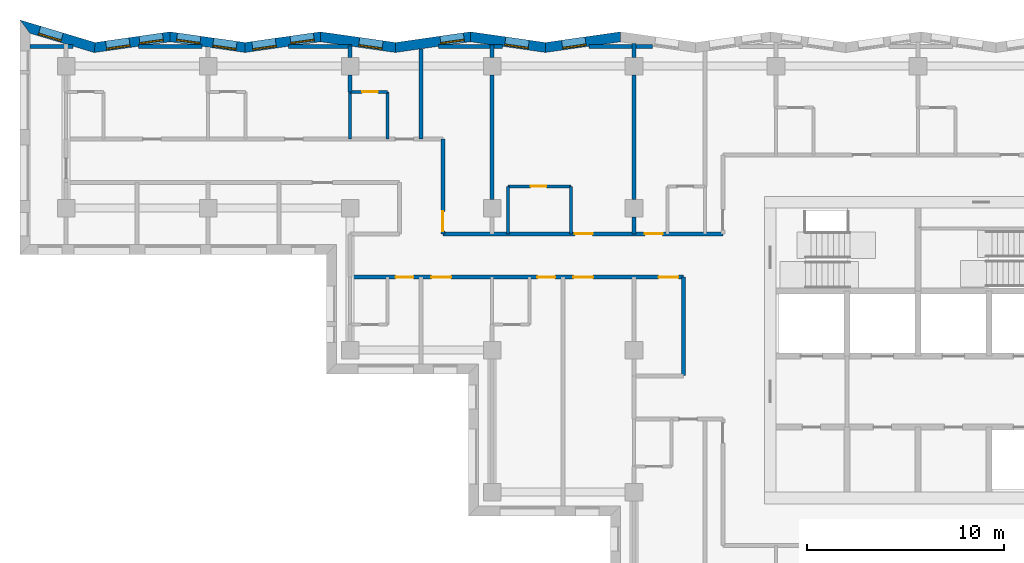
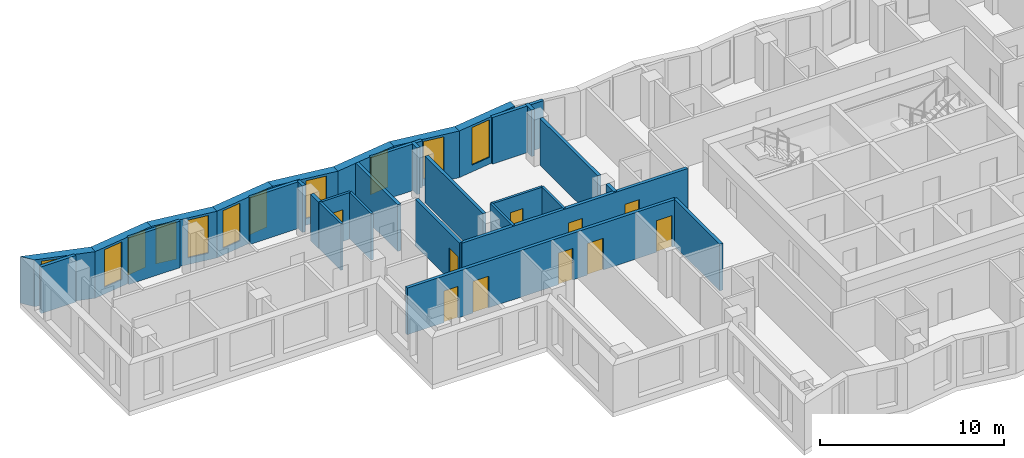
# One storey, part 5 of 12: 31 walls, 11 windows, 10 doors, 21 openings.
"""IFC4 building model written with IfcOpenShell, lengths in metres."""

from ifc_helpers import new_model, si_unit, direction, frame, frame_2d, origin, place, context, subcontext, project, spatial, polyline, rectangle, outline, extrude, material, layer, layer_set, type_object, element, fill, save


model = new_model("IFC4")

# Units and contexts
model_context = context("Model", 3, precision=1e-05, world=origin(), true_north=direction((0.0, 1.0)))
body_context = subcontext(model_context, "Body", "Model", "MODEL_VIEW")
ifc_project = project(units=[si_unit("LENGTHUNIT", "METRE"), si_unit("AREAUNIT", "SQUARE_METRE"), si_unit("VOLUMEUNIT", "CUBIC_METRE"), si_unit("PLANEANGLEUNIT", "RADIAN"), si_unit("MASSUNIT", "GRAM", prefix="KILO")], contexts=[model_context])

# Site, building, storey
site_placement = place(None, origin())
site = spatial("IfcSite", under=ifc_project, at=site_placement, CompositionType="ELEMENT")
building_placement = place(site_placement, origin())
building = spatial("IfcBuilding", under=site, at=building_placement, Name="Windrow Commons", CompositionType="ELEMENT")
storey_placement = place(building_placement, frame((0.0, 0.0, 162.6)))
storey = spatial("IfcBuildingStorey", under=building, at=storey_placement, Name="L44", CompositionType="ELEMENT", Elevation=162.6)

# Wall, opening, window
ifc_material_1 = material(Name="Brick masonry, red clay brick", Category="masonry")
ifc_layer_1 = layer(ifc_material_1, 0.5)
ifc_layer_set_1 = layer_set([ifc_layer_1], Name="Brick facade wall 500")
wall_type_1 = type_object("IfcWallType", Name="Brick facade wall 500", PredefinedType="SOLIDWALL", material=ifc_layer_set_1)
wall_1_placement = place(storey_placement, frame((49.7141, 73.4895, 0.0), z_axis=(0.0, 0.0, 1.0), x_axis=(-0.990016994, -0.1409480459, 0.0)))
wall_1 = element("IfcWall", 1, at=wall_1_placement, inside=storey, type_object=wall_type_1, Name="Brick facade wall L44 27", PredefinedType="SOLIDWALL", context=body_context, shape_type="SweptSolid", body=[
    extrude(outline(polyline([(-0.0356, -0.25), (3.8098, -0.25), (3.881, 0.25), (0.0356, 0.25), (-0.0356, -0.25)])), origin(), (0.0, 0.0, 1.0), 3.1),
])
opening_1_placement = place(wall_1_placement, frame((1.7895, 0.0, 0.45)))
opening_1 = element("IfcOpeningElement", 2, at=opening_1_placement, cuts=wall_1, Name="Opening W7E", PredefinedType="OPENING", context=body_context, shape_type="SweptSolid", body=[
    extrude(rectangle(XDim=1.2, YDim=2.5, at=frame_2d((0.6, 1.25))), frame((0.0, 0.26, 0.0), z_axis=(0.0, -1.0, 0.0), x_axis=(1.0, 0.0, 0.0)), (0.0, 0.0, 1.0), 0.52),
])
ifc_material_2 = material(Name="Clear float glass in anodised aluminium frame", Category="aluminium")
window_type = type_object("IfcWindowType", Name="Window W7 notch 1200x2500", PartitioningType="SINGLE_PANEL", PredefinedType="WINDOW", material=ifc_material_2)
window_1_placement = place(opening_1_placement, origin())
window_1 = element("IfcWindow", 3, at=window_1_placement, inside=storey, type_object=window_type, Name="Window L44 27.1", OverallHeight=2.5, OverallWidth=1.2, PartitioningType="SINGLE_PANEL", PredefinedType="WINDOW", context=body_context, shape_type="SweptSolid", body=[
    extrude(rectangle(XDim=1.2, YDim=2.5, at=frame_2d((0.6, 1.25))), frame((0.0, 0.18, 0.0), z_axis=(0.0, -1.0, 0.0), x_axis=(1.0, 0.0, 0.0)), (0.0, 0.0, 1.0), 0.06),
])
fill(opening_1, window_1)

wall_2_placement = place(storey_placement, frame((45.9071, 72.9475, 0.0), z_axis=(0.0, 0.0, 1.0), x_axis=(-0.9900175106, 0.1409444172, 0.0)))
wall_2 = element("IfcWall", 4, at=wall_2_placement, inside=storey, type_object=wall_type_1, Name="Brick facade wall L44 28", PredefinedType="SOLIDWALL", context=body_context, shape_type="SweptSolid", body=[
    extrude(outline(polyline([(0.0356, -0.25), (3.881, -0.25), (3.8098, 0.25), (-0.0356, 0.25), (0.0356, -0.25)])), origin(), (0.0, 0.0, 1.0), 3.1),
])
opening_2_placement = place(wall_2_placement, frame((0.8672, 0.0, 0.45)))
opening_2 = element("IfcOpeningElement", 5, at=opening_2_placement, cuts=wall_2, Name="Opening W7E", PredefinedType="OPENING", context=body_context, shape_type="SweptSolid", body=[
    extrude(rectangle(XDim=1.2, YDim=2.5, at=frame_2d((0.6, 1.25))), frame((0.0, 0.26, 0.0), z_axis=(0.0, -1.0, 0.0), x_axis=(1.0, 0.0, 0.0)), (0.0, 0.0, 1.0), 0.52),
])
window_2_placement = place(opening_2_placement, origin())
window_2 = element("IfcWindow", 6, at=window_2_placement, inside=storey, type_object=window_type, Name="Window L44 28.1", OverallHeight=2.5, OverallWidth=1.2, PartitioningType="SINGLE_PANEL", PredefinedType="WINDOW", context=body_context, shape_type="SweptSolid", body=[
    extrude(rectangle(XDim=1.2, YDim=2.5, at=frame_2d((0.6, 1.25))), frame((0.0, 0.18, 0.0), z_axis=(0.0, -1.0, 0.0), x_axis=(1.0, 0.0, 0.0)), (0.0, 0.0, 1.0), 0.06),
])
fill(opening_2, window_2)

wall_3_placement = place(storey_placement, frame((42.1, 73.4895, 0.0), z_axis=(0.0, 0.0, 1.0), x_axis=(-0.990016994, -0.1409480459, 0.0)))
wall_3 = element("IfcWall", 7, at=wall_3_placement, inside=storey, type_object=wall_type_1, Name="Brick facade wall L44 29", PredefinedType="SOLIDWALL", context=body_context, shape_type="SweptSolid", body=[
    extrude(outline(polyline([(-0.0356, -0.25), (3.8098, -0.25), (3.881, 0.25), (0.0356, 0.25), (-0.0356, -0.25)])), origin(), (0.0, 0.0, 1.0), 3.1),
])
opening_3_placement = place(wall_3_placement, frame((0.3304, 0.0, 0.45)))
opening_3 = element("IfcOpeningElement", 8, at=opening_3_placement, cuts=wall_3, Name="Opening W7E", PredefinedType="OPENING", context=body_context, shape_type="SweptSolid", body=[
    extrude(rectangle(XDim=1.2, YDim=2.5, at=frame_2d((0.6, 1.25))), frame((0.0, 0.26, 0.0), z_axis=(0.0, -1.0, 0.0), x_axis=(1.0, 0.0, 0.0)), (0.0, 0.0, 1.0), 0.52),
])
window_3_placement = place(opening_3_placement, origin())
window_3 = element("IfcWindow", 9, at=window_3_placement, inside=storey, type_object=window_type, Name="Window L44 29.1", OverallHeight=2.5, OverallWidth=1.2, PartitioningType="SINGLE_PANEL", PredefinedType="WINDOW", context=body_context, shape_type="SweptSolid", body=[
    extrude(rectangle(XDim=1.2, YDim=2.5, at=frame_2d((0.6, 1.25))), frame((0.0, 0.14, 0.0), z_axis=(0.0, -1.0, 0.0), x_axis=(1.0, 0.0, 0.0)), (0.0, 0.0, 1.0), 0.06),
])
fill(opening_3, window_3)

wall_4_placement = place(storey_placement, frame((38.293, 72.9475, 0.0), z_axis=(0.0, 0.0, 1.0), x_axis=(-0.990016994, 0.1409480459, 0.0)))
wall_4 = element("IfcWall", 10, at=wall_4_placement, inside=storey, type_object=wall_type_1, Name="Brick facade wall L44 30", PredefinedType="SOLIDWALL", context=body_context, shape_type="SweptSolid", body=[
    extrude(outline(polyline([(0.0356, -0.25), (3.881, -0.25), (3.8098, 0.25), (-0.0356, 0.25), (0.0356, -0.25)])), origin(), (0.0, 0.0, 1.0), 3.1),
])
opening_4_placement = place(wall_4_placement, frame((0.6581, 0.0, 0.45)))
opening_4 = element("IfcOpeningElement", 11, at=opening_4_placement, cuts=wall_4, Name="Opening W7E", PredefinedType="OPENING", context=body_context, shape_type="SweptSolid", body=[
    extrude(rectangle(XDim=1.2, YDim=2.5, at=frame_2d((0.6, 1.25))), frame((0.0, 0.26, 0.0), z_axis=(0.0, -1.0, 0.0), x_axis=(1.0, 0.0, 0.0)), (0.0, 0.0, 1.0), 0.52),
])
window_4_placement = place(opening_4_placement, origin())
window_4 = element("IfcWindow", 12, at=window_4_placement, inside=storey, type_object=window_type, Name="Window L44 30.1", OverallHeight=2.5, OverallWidth=1.2, PartitioningType="SINGLE_PANEL", PredefinedType="WINDOW", context=body_context, shape_type="SweptSolid", body=[
    extrude(rectangle(XDim=1.2, YDim=2.5, at=frame_2d((0.6, 1.25))), frame((0.0, 0.18, 0.0), z_axis=(0.0, -1.0, 0.0), x_axis=(1.0, 0.0, 0.0)), (0.0, 0.0, 1.0), 0.06),
])
fill(opening_4, window_4)

# Wall, openings, windows
wall_5_placement = place(storey_placement, frame((34.486, 73.4895, 0.0), z_axis=(0.0, 0.0, 1.0), x_axis=(-0.990016994, -0.1409480459, 0.0)))
wall_5 = element("IfcWall", 13, at=wall_5_placement, inside=storey, type_object=wall_type_1, Name="Brick facade wall L44 31", PredefinedType="SOLIDWALL", context=body_context, shape_type="SweptSolid", body=[
    extrude(outline(polyline([(-0.0356, -0.25), (3.8098, -0.25), (3.881, 0.25), (0.0356, 0.25), (-0.0356, -0.25)])), origin(), (0.0, 0.0, 1.0), 3.1),
])
opening_5_placement = place(wall_5_placement, frame((0.3213, 0.0, 0.45)))
opening_5 = element("IfcOpeningElement", 14, at=opening_5_placement, cuts=wall_5, Name="Opening W7E", PredefinedType="OPENING", context=body_context, shape_type="SweptSolid", body=[
    extrude(rectangle(XDim=1.2, YDim=2.5, at=frame_2d((0.6, 1.25))), frame((0.0, 0.26, 0.0), z_axis=(0.0, -1.0, 0.0), x_axis=(1.0, 0.0, 0.0)), (0.0, 0.0, 1.0), 0.52),
])
opening_6_placement = place(wall_5_placement, frame((2.2762, 0.0, 0.45)))
opening_6 = element("IfcOpeningElement", 15, at=opening_6_placement, cuts=wall_5, Name="Opening W7E", PredefinedType="OPENING", context=body_context, shape_type="SweptSolid", body=[
    extrude(rectangle(XDim=1.2, YDim=2.5, at=frame_2d((0.6, 1.25))), frame((0.0, 0.26, 0.0), z_axis=(0.0, -1.0, 0.0), x_axis=(1.0, 0.0, 0.0)), (0.0, 0.0, 1.0), 0.52),
])
window_5_placement = place(opening_5_placement, origin())
window_5 = element("IfcWindow", 16, at=window_5_placement, inside=storey, type_object=window_type, Name="Window L44 31.1", OverallHeight=2.5, OverallWidth=1.2, PartitioningType="SINGLE_PANEL", PredefinedType="WINDOW", context=body_context, shape_type="SweptSolid", body=[
    extrude(rectangle(XDim=1.2, YDim=2.5, at=frame_2d((0.6, 1.25))), frame((0.0, 0.14, 0.0), z_axis=(0.0, -1.0, 0.0), x_axis=(1.0, 0.0, 0.0)), (0.0, 0.0, 1.0), 0.06),
])
fill(opening_5, window_5)
window_6_placement = place(opening_6_placement, origin())
window_6 = element("IfcWindow", 17, at=window_6_placement, inside=storey, type_object=window_type, Name="Window L44 31.2", OverallHeight=2.5, OverallWidth=1.2, PartitioningType="SINGLE_PANEL", PredefinedType="WINDOW", context=body_context, shape_type="SweptSolid", body=[
    extrude(rectangle(XDim=1.2, YDim=2.5, at=frame_2d((0.6, 1.25))), frame((0.0, 0.18, 0.0), z_axis=(0.0, -1.0, 0.0), x_axis=(1.0, 0.0, 0.0)), (0.0, 0.0, 1.0), 0.06),
])
fill(opening_6, window_6)

wall_6_placement = place(storey_placement, frame((30.679, 72.9475, 0.0), z_axis=(0.0, 0.0, 1.0), x_axis=(-0.990016994, 0.1409480459, 0.0)))
wall_6 = element("IfcWall", 18, at=wall_6_placement, inside=storey, type_object=wall_type_1, Name="Brick facade wall L44 32", PredefinedType="SOLIDWALL", context=body_context, shape_type="SweptSolid", body=[
    extrude(outline(polyline([(0.0356, -0.25), (3.881, -0.25), (3.8098, 0.25), (-0.0356, 0.25), (0.0356, -0.25)])), origin(), (0.0, 0.0, 1.0), 3.1),
])
opening_7_placement = place(wall_6_placement, frame((0.449, 0.0, 0.45)))
opening_7 = element("IfcOpeningElement", 19, at=opening_7_placement, cuts=wall_6, Name="Opening W7E", PredefinedType="OPENING", context=body_context, shape_type="SweptSolid", body=[
    extrude(rectangle(XDim=1.2, YDim=2.5, at=frame_2d((0.6, 1.25))), frame((0.0, 0.26, 0.0), z_axis=(0.0, -1.0, 0.0), x_axis=(1.0, 0.0, 0.0)), (0.0, 0.0, 1.0), 0.52),
])
opening_8_placement = place(wall_6_placement, frame((2.3039, 0.0, 0.45)))
opening_8 = element("IfcOpeningElement", 20, at=opening_8_placement, cuts=wall_6, Name="Opening W7E", PredefinedType="OPENING", context=body_context, shape_type="SweptSolid", body=[
    extrude(rectangle(XDim=1.2, YDim=2.5, at=frame_2d((0.6, 1.25))), frame((0.0, 0.26, 0.0), z_axis=(0.0, -1.0, 0.0), x_axis=(1.0, 0.0, 0.0)), (0.0, 0.0, 1.0), 0.52),
])
window_7_placement = place(opening_7_placement, origin())
window_7 = element("IfcWindow", 21, at=window_7_placement, inside=storey, type_object=window_type, Name="Window L44 32.1", OverallHeight=2.5, OverallWidth=1.2, PartitioningType="SINGLE_PANEL", PredefinedType="WINDOW", context=body_context, shape_type="SweptSolid", body=[
    extrude(rectangle(XDim=1.2, YDim=2.5, at=frame_2d((0.6, 1.25))), frame((0.0, 0.18, 0.0), z_axis=(0.0, -1.0, 0.0), x_axis=(1.0, 0.0, 0.0)), (0.0, 0.0, 1.0), 0.06),
])
fill(opening_7, window_7)
window_8_placement = place(opening_8_placement, origin())
window_8 = element("IfcWindow", 22, at=window_8_placement, inside=storey, type_object=window_type, Name="Window L44 32.2", OverallHeight=2.5, OverallWidth=1.2, PartitioningType="SINGLE_PANEL", PredefinedType="WINDOW", context=body_context, shape_type="SweptSolid", body=[
    extrude(rectangle(XDim=1.2, YDim=2.5, at=frame_2d((0.6, 1.25))), frame((0.0, 0.14, 0.0), z_axis=(0.0, -1.0, 0.0), x_axis=(1.0, 0.0, 0.0)), (0.0, 0.0, 1.0), 0.06),
])
fill(opening_8, window_8)

wall_7_placement = place(storey_placement, frame((26.872, 73.4895, 0.0), z_axis=(0.0, 0.0, 1.0), x_axis=(-0.9900145925, -0.140964913, 0.0)))
wall_7 = element("IfcWall", 23, at=wall_7_placement, inside=storey, type_object=wall_type_1, Name="Brick facade wall L44 33", PredefinedType="SOLIDWALL", context=body_context, shape_type="SweptSolid", body=[
    extrude(outline(polyline([(-0.0356, -0.25), (3.8098, -0.25), (3.9197, 0.25), (0.0356, 0.25), (-0.0356, -0.25)])), origin(), (0.0, 0.0, 1.0), 3.1),
])
opening_9_placement = place(wall_7_placement, frame((0.3622, 0.0, 0.45)))
opening_9 = element("IfcOpeningElement", 24, at=opening_9_placement, cuts=wall_7, Name="Opening W7E", PredefinedType="OPENING", context=body_context, shape_type="SweptSolid", body=[
    extrude(rectangle(XDim=1.2, YDim=2.5, at=frame_2d((0.6, 1.25))), frame((0.0, 0.26, 0.0), z_axis=(0.0, -1.0, 0.0), x_axis=(1.0, 0.0, 0.0)), (0.0, 0.0, 1.0), 0.52),
])
opening_10_placement = place(wall_7_placement, frame((2.0768, 0.0, 0.45)))
opening_10 = element("IfcOpeningElement", 25, at=opening_10_placement, cuts=wall_7, Name="Opening W7E", PredefinedType="OPENING", context=body_context, shape_type="SweptSolid", body=[
    extrude(rectangle(XDim=1.2, YDim=2.5, at=frame_2d((0.6, 1.25))), frame((0.0, 0.26, 0.0), z_axis=(0.0, -1.0, 0.0), x_axis=(1.0, 0.0, 0.0)), (0.0, 0.0, 1.0), 0.52),
])
window_9_placement = place(opening_9_placement, origin())
window_9 = element("IfcWindow", 26, at=window_9_placement, inside=storey, type_object=window_type, Name="Window L44 33.1", OverallHeight=2.5, OverallWidth=1.2, PartitioningType="SINGLE_PANEL", PredefinedType="WINDOW", context=body_context, shape_type="SweptSolid", body=[
    extrude(rectangle(XDim=1.2, YDim=2.5, at=frame_2d((0.6, 1.25))), frame((0.0, 0.14, 0.0), z_axis=(0.0, -1.0, 0.0), x_axis=(1.0, 0.0, 0.0)), (0.0, 0.0, 1.0), 0.06),
])
fill(opening_9, window_9)
window_10_placement = place(opening_10_placement, origin())
window_10 = element("IfcWindow", 27, at=window_10_placement, inside=storey, type_object=window_type, Name="Window L44 33.2", OverallHeight=2.5, OverallWidth=1.2, PartitioningType="SINGLE_PANEL", PredefinedType="WINDOW", context=body_context, shape_type="SweptSolid", body=[
    extrude(rectangle(XDim=1.2, YDim=2.5, at=frame_2d((0.6, 1.25))), frame((0.0, 0.18, 0.0), z_axis=(0.0, -1.0, 0.0), x_axis=(1.0, 0.0, 0.0)), (0.0, 0.0, 1.0), 0.06),
])
fill(opening_10, window_10)

# Wall, opening, window
wall_8_placement = place(storey_placement, frame((23.0458, 72.9447, 0.0), z_axis=(0.0, 0.0, 1.0), x_axis=(-0.9578292658, 0.2873379501, 0.0)))
wall_8 = element("IfcWall", 28, at=wall_8_placement, inside=storey, type_object=wall_type_1, Name="Brick facade wall L44 34", PredefinedType="SOLIDWALL", context=body_context, shape_type="SweptSolid", body=[
    extrude(outline(polyline([(0.055, -0.25), (4.0296, -0.25), (3.3576, 0.25), (-0.055, 0.25), (0.055, -0.25)])), origin(), (0.0, 0.0, 1.0), 3.1),
])
opening_11_placement = place(wall_8_placement, frame((1.7335, 0.0, 0.45)))
opening_11 = element("IfcOpeningElement", 29, at=opening_11_placement, cuts=wall_8, Name="Opening W7E", PredefinedType="OPENING", context=body_context, shape_type="SweptSolid", body=[
    extrude(rectangle(XDim=1.2, YDim=2.5, at=frame_2d((0.6, 1.25))), frame((0.0, 0.26, 0.0), z_axis=(0.0, -1.0, 0.0), x_axis=(1.0, 0.0, 0.0)), (0.0, 0.0, 1.0), 0.52),
])
window_11_placement = place(opening_11_placement, origin())
window_11 = element("IfcWindow", 30, at=window_11_placement, inside=storey, type_object=window_type, Name="Window L44 34.1", OverallHeight=2.5, OverallWidth=1.2, PartitioningType="SINGLE_PANEL", PredefinedType="WINDOW", context=body_context, shape_type="SweptSolid", body=[
    extrude(rectangle(XDim=1.2, YDim=2.5, at=frame_2d((0.6, 1.25))), frame((0.0, 0.18, 0.0), z_axis=(0.0, -1.0, 0.0), x_axis=(1.0, 0.0, 0.0)), (0.0, 0.0, 1.0), 0.06),
])
fill(opening_11, window_11)

# Wall, openings, doors
ifc_material_3 = material(Name="Blockwork partition", Category="masonry")
ifc_layer_2 = layer(ifc_material_3, 0.2)
ifc_layer_set_2 = layer_set([ifc_layer_2], Name="IW-CORRIDOR-200")
wall_type_2 = type_object("IfcWallType", Name="IW-CORRIDOR-200", PredefinedType="PARTITIONING", material=ifc_layer_set_2)
wall_9_placement = place(storey_placement, frame((36.0, 61.3, 0.0), z_axis=(0.0, 0.0, 1.0), x_axis=(1.0, 0.0, 0.0)))
wall_9 = element("IfcWall", 31, at=wall_9_placement, inside=storey, type_object=wall_type_2, Name="W-L44-W004", PredefinedType="PARTITIONING", context=body_context, shape_type="SweptSolid", body=[
    extrude(rectangle(XDim=16.9, YDim=0.2, at=frame_2d((8.45, 0.0))), origin(), (0.0, 0.0, 1.0), 3.1),
])
opening_12_placement = place(wall_9_placement, frame((2.3, 0.0, 0.0)))
opening_12 = element("IfcOpeningElement", 32, at=opening_12_placement, cuts=wall_9, Name="Opening D109S", PredefinedType="OPENING", context=body_context, shape_type="SweptSolid", body=[
    extrude(rectangle(XDim=0.9, YDim=2.1, at=frame_2d((0.45, 1.05))), frame((0.0, 0.11, 0.0), z_axis=(0.0, -1.0, 0.0), x_axis=(1.0, 0.0, 0.0)), (0.0, 0.0, 1.0), 0.22),
])
opening_13_placement = place(wall_9_placement, frame((4.125, 0.0, 0.0)))
opening_13 = element("IfcOpeningElement", 33, at=opening_13_placement, cuts=wall_9, Name="Opening D310F", PredefinedType="OPENING", context=body_context, shape_type="SweptSolid", body=[
    extrude(rectangle(XDim=1.0, YDim=2.1, at=frame_2d((0.5, 1.05))), frame((0.0, 0.11, 0.0), z_axis=(0.0, -1.0, 0.0), x_axis=(1.0, 0.0, 0.0)), (0.0, 0.0, 1.0), 0.22),
])
opening_14_placement = place(wall_9_placement, frame((9.5, 0.0, 0.0)))
opening_14 = element("IfcOpeningElement", 34, at=opening_14_placement, cuts=wall_9, Name="Opening D109S", PredefinedType="OPENING", context=body_context, shape_type="SweptSolid", body=[
    extrude(rectangle(XDim=0.9, YDim=2.1, at=frame_2d((0.45, 1.05))), frame((0.0, 0.11, 0.0), z_axis=(0.0, -1.0, 0.0), x_axis=(1.0, 0.0, 0.0)), (0.0, 0.0, 1.0), 0.22),
])
opening_15_placement = place(wall_9_placement, frame((11.325, 0.0, 0.0)))
opening_15 = element("IfcOpeningElement", 35, at=opening_15_placement, cuts=wall_9, Name="Opening D310F", PredefinedType="OPENING", context=body_context, shape_type="SweptSolid", body=[
    extrude(rectangle(XDim=1.0, YDim=2.1, at=frame_2d((0.5, 1.05))), frame((0.0, 0.11, 0.0), z_axis=(0.0, -1.0, 0.0), x_axis=(1.0, 0.0, 0.0)), (0.0, 0.0, 1.0), 0.22),
])
opening_16_placement = place(wall_9_placement, frame((15.6471, 0.0, 0.0)))
opening_16 = element("IfcOpeningElement", 36, at=opening_16_placement, cuts=wall_9, Name="Opening D410F", PredefinedType="OPENING", context=body_context, shape_type="SweptSolid", body=[
    extrude(rectangle(XDim=1.0, YDim=2.1, at=frame_2d((0.5, 1.05))), frame((0.0, 0.11, 0.0), z_axis=(0.0, -1.0, 0.0), x_axis=(1.0, 0.0, 0.0)), (0.0, 0.0, 1.0), 0.22),
])
ifc_material_4 = material(Name="Timber door leaf", Category="wood")
door_type_1 = type_object("IfcDoorType", Name="DT-AMENITY-1000", OperationType="SINGLE_SWING_LEFT", PredefinedType="DOOR", material=ifc_material_4)
door_1_placement = place(opening_13_placement, origin())
door_1 = element("IfcDoor", 37, at=door_1_placement, inside=storey, type_object=door_type_1, Name="D-L44-D013", OperationType="SINGLE_SWING_RIGHT", OverallHeight=2.1, OverallWidth=1.0, PredefinedType="DOOR", context=body_context, shape_type="SweptSolid", body=[
    extrude(rectangle(XDim=1.0, YDim=2.1, at=frame_2d((0.5, 1.05))), frame((0.0, 0.025, 0.0), z_axis=(0.0, -1.0, 0.0), x_axis=(1.0, 0.0, 0.0)), (0.0, 0.0, 1.0), 0.05),
])
fill(opening_13, door_1)
door_2_placement = place(opening_15_placement, origin())
door_2 = element("IfcDoor", 38, at=door_2_placement, inside=storey, type_object=door_type_1, Name="D-L44-D025", OperationType="SINGLE_SWING_RIGHT", OverallHeight=2.1, OverallWidth=1.0, PredefinedType="DOOR", context=body_context, shape_type="SweptSolid", body=[
    extrude(rectangle(XDim=1.0, YDim=2.1, at=frame_2d((0.5, 1.05))), frame((0.0, 0.025, 0.0), z_axis=(0.0, -1.0, 0.0), x_axis=(1.0, 0.0, 0.0)), (0.0, 0.0, 1.0), 0.05),
])
fill(opening_15, door_2)
ifc_material_5 = material(Name="Timber door leaf", Category="wood")
door_type_2 = type_object("IfcDoorType", Name="DT-BEDROOM-900", OperationType="SINGLE_SWING_LEFT", PredefinedType="DOOR", material=ifc_material_5)
door_3_placement = place(opening_12_placement, origin())
door_3 = element("IfcDoor", 39, at=door_3_placement, inside=storey, type_object=door_type_2, Name="D-L44-D011", OperationType="SINGLE_SWING_LEFT", OverallHeight=2.1, OverallWidth=0.9, PredefinedType="DOOR", context=body_context, shape_type="SweptSolid", body=[
    extrude(rectangle(XDim=0.9, YDim=2.1, at=frame_2d((0.45, 1.05))), frame((0.0, 0.025, 0.0), z_axis=(0.0, -1.0, 0.0), x_axis=(1.0, 0.0, 0.0)), (0.0, 0.0, 1.0), 0.05),
])
fill(opening_12, door_3)
door_4_placement = place(opening_14_placement, origin())
door_4 = element("IfcDoor", 40, at=door_4_placement, inside=storey, type_object=door_type_2, Name="D-L44-D014", OperationType="SINGLE_SWING_LEFT", OverallHeight=2.1, OverallWidth=0.9, PredefinedType="DOOR", context=body_context, shape_type="SweptSolid", body=[
    extrude(rectangle(XDim=0.9, YDim=2.1, at=frame_2d((0.45, 1.05))), frame((0.0, 0.025, 0.0), z_axis=(0.0, -1.0, 0.0), x_axis=(1.0, 0.0, 0.0)), (0.0, 0.0, 1.0), 0.05),
])
fill(opening_14, door_4)
ifc_material_6 = material(Name="Timber door leaf", Category="wood")
door_type_3 = type_object("IfcDoorType", Name="DT-SERVICE-1000", OperationType="SINGLE_SWING_LEFT", PredefinedType="DOOR", material=ifc_material_6)
door_5_placement = place(opening_16_placement, origin())
door_5 = element("IfcDoor", 41, at=door_5_placement, inside=storey, type_object=door_type_3, Name="D-L44-D029", OperationType="SINGLE_SWING_LEFT", OverallHeight=2.1, OverallWidth=1.0, PredefinedType="DOOR", context=body_context, shape_type="SweptSolid", body=[
    extrude(rectangle(XDim=1.0, YDim=2.1, at=frame_2d((0.5, 1.05))), frame((0.0, 0.025, 0.0), z_axis=(0.0, -1.0, 0.0), x_axis=(1.0, 0.0, 0.0)), (0.0, 0.0, 1.0), 0.05),
])
fill(opening_16, door_5)

wall_10_placement = place(storey_placement, frame((40.702, 63.5, 0.0), z_axis=(0.0, 0.0, 1.0), x_axis=(1.0, 0.0, 0.0)))
wall_10 = element("IfcWall", 42, at=wall_10_placement, inside=storey, type_object=wall_type_2, Name="W-L44-W005", PredefinedType="PARTITIONING", context=body_context, shape_type="SweptSolid", body=[
    extrude(rectangle(XDim=14.198, YDim=0.2, at=frame_2d((7.099, 0.0))), origin(), (0.0, 0.0, 1.0), 3.1),
])
opening_17_placement = place(wall_10_placement, frame((6.6925, 0.0, 0.0)))
opening_17 = element("IfcOpeningElement", 43, at=opening_17_placement, cuts=wall_10, Name="Opening D109F", PredefinedType="OPENING", context=body_context, shape_type="SweptSolid", body=[
    extrude(rectangle(XDim=0.9, YDim=2.1, at=frame_2d((0.45, 1.05))), frame((0.0, 0.11, 0.0), z_axis=(0.0, -1.0, 0.0), x_axis=(1.0, 0.0, 0.0)), (0.0, 0.0, 1.0), 0.22),
])
opening_18_placement = place(wall_10_placement, frame((10.2497, 0.0, 0.0)))
opening_18 = element("IfcOpeningElement", 44, at=opening_18_placement, cuts=wall_10, Name="Opening D109S", PredefinedType="OPENING", context=body_context, shape_type="SweptSolid", body=[
    extrude(rectangle(XDim=0.9, YDim=2.1, at=frame_2d((0.45, 1.05))), frame((0.0, 0.11, 0.0), z_axis=(0.0, -1.0, 0.0), x_axis=(1.0, 0.0, 0.0)), (0.0, 0.0, 1.0), 0.22),
])
door_6_placement = place(opening_17_placement, origin())
door_6 = element("IfcDoor", 45, at=door_6_placement, inside=storey, type_object=door_type_2, Name="D-L44-D017", OperationType="SINGLE_SWING_RIGHT", OverallHeight=2.1, OverallWidth=0.9, PredefinedType="DOOR", context=body_context, shape_type="SweptSolid", body=[
    extrude(rectangle(XDim=0.9, YDim=2.1, at=frame_2d((0.45, 1.05))), frame((0.0, 0.025, 0.0), z_axis=(0.0, -1.0, 0.0), x_axis=(1.0, 0.0, 0.0)), (0.0, 0.0, 1.0), 0.05),
])
fill(opening_17, door_6)
door_7_placement = place(opening_18_placement, origin())
door_7 = element("IfcDoor", 46, at=door_7_placement, inside=storey, type_object=door_type_2, Name="D-L44-D019", OperationType="SINGLE_SWING_RIGHT", OverallHeight=2.1, OverallWidth=0.9, PredefinedType="DOOR", context=body_context, shape_type="SweptSolid", body=[
    extrude(rectangle(XDim=0.9, YDim=2.1, at=frame_2d((0.45, 1.05))), frame((0.0, 0.025, 0.0), z_axis=(0.0, -1.0, 0.0), x_axis=(1.0, 0.0, 0.0)), (0.0, 0.0, 1.0), 0.05),
])
fill(opening_18, door_7)

# Wall
wall_11_placement = place(storey_placement, frame((52.9, 56.302, 0.0), z_axis=(0.0, 0.0, 1.0), x_axis=(0.0, 1.0, 0.0)))
element("IfcWall", 47, at=wall_11_placement, inside=storey, type_object=wall_type_2, Name="W-L44-W031", PredefinedType="PARTITIONING", context=body_context, shape_type="SweptSolid", body=[
    extrude(rectangle(XDim=4.998, YDim=0.2, at=frame_2d((2.499, 0.0))), origin(), (0.0, 0.0, 1.0), 3.1),
])

# Wall, opening, door
wall_12_placement = place(storey_placement, frame((40.7, 63.502, 0.0), z_axis=(0.0, 0.0, 1.0), x_axis=(0.0, 1.0, 0.0)))
wall_12 = element("IfcWall", 48, at=wall_12_placement, inside=storey, type_object=wall_type_2, Name="W-L44-W032", PredefinedType="PARTITIONING", context=body_context, shape_type="SweptSolid", body=[
    extrude(rectangle(XDim=4.798, YDim=0.2, at=frame_2d((2.399, 0.0))), origin(), (0.0, 0.0, 1.0), 3.1),
])
opening_19_placement = place(wall_12_placement, frame((0.133, 0.0, 0.0)))
opening_19 = element("IfcOpeningElement", 49, at=opening_19_placement, cuts=wall_12, Name="Opening D310F", PredefinedType="OPENING", context=body_context, shape_type="SweptSolid", body=[
    extrude(rectangle(XDim=1.0, YDim=2.1, at=frame_2d((0.5, 1.05))), frame((0.0, 0.11, 0.0), z_axis=(0.0, -1.0, 0.0), x_axis=(1.0, 0.0, 0.0)), (0.0, 0.0, 1.0), 0.22),
])
door_8_placement = place(opening_19_placement, origin())
door_8 = element("IfcDoor", 50, at=door_8_placement, inside=storey, type_object=door_type_1, Name="D-L44-D016", OperationType="SINGLE_SWING_LEFT", OverallHeight=2.1, OverallWidth=1.0, PredefinedType="DOOR", context=body_context, shape_type="SweptSolid", body=[
    extrude(rectangle(XDim=1.0, YDim=2.1, at=frame_2d((0.5, 1.05))), frame((0.0, 0.025, 0.0), z_axis=(0.0, -1.0, 0.0), x_axis=(1.0, 0.0, 0.0)), (0.0, 0.0, 1.0), 0.05),
])
fill(opening_19, door_8)

ifc_material_7 = material(Name="Blockwork partition", Category="masonry")
ifc_layer_3 = layer(ifc_material_7, 0.15)
ifc_layer_set_3 = layer_set([ifc_layer_3], Name="IW-ENSUITE-150")
wall_type_3 = type_object("IfcWallType", Name="IW-ENSUITE-150", PredefinedType="PARTITIONING", material=ifc_layer_set_3)
wall_13_placement = place(storey_placement, frame((44.0, 65.9, 0.0), z_axis=(0.0, 0.0, 1.0), x_axis=(1.0, 0.0, 0.0)))
wall_13 = element("IfcWall", 51, at=wall_13_placement, inside=storey, type_object=wall_type_3, Name="W-L44-W057", PredefinedType="PARTITIONING", context=body_context, shape_type="SweptSolid", body=[
    extrude(rectangle(XDim=3.2, YDim=0.15, at=frame_2d((1.6, 0.0))), origin(), (0.0, 0.0, 1.0), 3.1),
])
opening_20_placement = place(wall_13_placement, frame((1.154, 0.0, 0.0)))
opening_20 = element("IfcOpeningElement", 52, at=opening_20_placement, cuts=wall_13, Name="Opening D208N", PredefinedType="OPENING", context=body_context, shape_type="SweptSolid", body=[
    extrude(rectangle(XDim=0.8, YDim=2.1, at=frame_2d((0.4, 1.05))), frame((0.0, 0.085, 0.0), z_axis=(0.0, -1.0, 0.0), x_axis=(1.0, 0.0, 0.0)), (0.0, 0.0, 1.0), 0.17),
])
ifc_material_8 = material(Name="Timber door leaf", Category="wood")
door_type_4 = type_object("IfcDoorType", Name="DT-ENSUITE-800", OperationType="SINGLE_SWING_LEFT", PredefinedType="DOOR", material=ifc_material_8)
door_9_placement = place(opening_20_placement, origin())
door_9 = element("IfcDoor", 53, at=door_9_placement, inside=storey, type_object=door_type_4, Name="D-L44-D018", OperationType="SINGLE_SWING_RIGHT", OverallHeight=2.1, OverallWidth=0.8, PredefinedType="DOOR", context=body_context, shape_type="SweptSolid", body=[
    extrude(rectangle(XDim=0.8, YDim=2.1, at=frame_2d((0.4, 1.05))), frame((0.0, 0.025, 0.0), z_axis=(0.0, -1.0, 0.0), x_axis=(1.0, 0.0, 0.0)), (0.0, 0.0, 1.0), 0.05),
])
fill(opening_20, door_9)

# Walls
for number, where, z_axis, x_axis, name in (
    (54, (37.9, 68.3, 0.0), (0.0, 0.0, 1.0), (0.0, 1.0, 0.0), "W-L44-W076"),
    (55, (36.0, 68.3, 0.0), (0.0, 0.0, 1.0), (0.0, 1.0, 0.0), "W-L44-W077"),
    (56, (44.0, 63.5, 0.0), (0.0, 0.0, 1.0), (0.0, 1.0, 0.0), "W-L44-W078"),
    (57, (47.2, 63.5, 0.0), (0.0, 0.0, 1.0), (0.0, 1.0, 0.0), "W-L44-W079"),
):
    element("IfcWall", number, at=place(storey_placement, frame(where, z_axis=z_axis, x_axis=x_axis)), inside=storey, type_object=wall_type_3, Name=name, PredefinedType="PARTITIONING", context=body_context, shape_type="SweptSolid", body=[
        extrude(rectangle(XDim=2.4, YDim=0.15, at=frame_2d((1.2, 0.0))), origin(), (0.0, 0.0, 1.0), 3.1),
    ])

# Wall, opening, door
wall_14_placement = place(storey_placement, frame((36.0, 70.7, 0.0), z_axis=(0.0, 0.0, 1.0), x_axis=(1.0, 0.0, 0.0)))
wall_14 = element("IfcWall", 58, at=wall_14_placement, inside=storey, type_object=wall_type_3, Name="W-L44-W119", PredefinedType="PARTITIONING", context=body_context, shape_type="SweptSolid", body=[
    extrude(rectangle(XDim=1.9, YDim=0.15, at=frame_2d((0.95, 0.0))), origin(), (0.0, 0.0, 1.0), 3.1),
])
opening_21_placement = place(wall_14_placement, frame((0.6069, 0.0, 0.0)))
opening_21 = element("IfcOpeningElement", 59, at=opening_21_placement, cuts=wall_14, Name="Opening D208N", PredefinedType="OPENING", context=body_context, shape_type="SweptSolid", body=[
    extrude(rectangle(XDim=0.8, YDim=2.1, at=frame_2d((0.4, 1.05))), frame((0.0, 0.085, 0.0), z_axis=(0.0, -1.0, 0.0), x_axis=(1.0, 0.0, 0.0)), (0.0, 0.0, 1.0), 0.17),
])
door_10_placement = place(opening_21_placement, origin())
door_10 = element("IfcDoor", 60, at=door_10_placement, inside=storey, type_object=door_type_4, Name="D-L44-D009", OperationType="SINGLE_SWING_RIGHT", OverallHeight=2.1, OverallWidth=0.8, PredefinedType="DOOR", context=body_context, shape_type="SweptSolid", body=[
    extrude(rectangle(XDim=0.8, YDim=2.1, at=frame_2d((0.4, 1.05))), frame((0.0, 0.025, 0.0), z_axis=(0.0, -1.0, 0.0), x_axis=(1.0, 0.0, 0.0)), (0.0, 0.0, 1.0), 0.05),
])
fill(opening_21, door_10)

# Walls
ifc_material_9 = material(Name="Blockwork partition", Category="masonry")
ifc_layer_4 = layer(ifc_material_9, 0.2)
ifc_layer_set_4 = layer_set([ifc_layer_4], Name="IW-PARTY-200")
wall_type_4 = type_object("IfcWallType", Name="IW-PARTY-200", PredefinedType="PARTITIONING", material=ifc_layer_set_4)
for number, where, z_axis, x_axis, name in (
    (61, (43.2, 65.25, 0.0), (0.0, 0.0, 1.0), (0.0, 1.0, 0.0), "W-L44-W024"),
    (62, (50.4, 65.25, 0.0), (0.0, 0.0, 1.0), (0.0, 1.0, 0.0), "W-L44-W025"),
):
    element("IfcWall", number, at=place(storey_placement, frame(where, z_axis=z_axis, x_axis=x_axis)), inside=storey, type_object=wall_type_4, Name=name, PredefinedType="PARTITIONING", context=body_context, shape_type="SweptSolid", body=[
        extrude(rectangle(XDim=6.3, YDim=0.2, at=frame_2d((3.15, 0.0))), origin(), (0.0, 0.0, 1.0), 3.1),
    ])
wall_15_placement = place(storey_placement, frame((39.6, 68.3, 0.0), z_axis=(0.0, 0.0, 1.0), x_axis=(0.0, 1.0, 0.0)))
element("IfcWall", 63, at=wall_15_placement, inside=storey, type_object=wall_type_4, Name="W-L44-W035", PredefinedType="PARTITIONING", context=body_context, shape_type="SweptSolid", body=[
    extrude(rectangle(XDim=4.581, YDim=0.2, at=frame_2d((2.2905, 0.0))), origin(), (0.0, 0.0, 1.0), 3.1),
])
wall_16_placement = place(storey_placement, frame((40.4857, 73.0, 0.0), z_axis=(0.0, 0.0, 1.0), x_axis=(1.0, 0.0, 0.0)))
element("IfcWall", 64, at=wall_16_placement, inside=storey, type_object=wall_type_4, Name="W-L44-W050", PredefinedType="PARTITIONING", context=body_context, shape_type="SweptSolid", body=[
    extrude(rectangle(XDim=3.2287, YDim=0.2, at=frame_2d((1.6143, 0.0))), origin(), (0.0, 0.0, 1.0), 3.1),
])
for number, where, z_axis, x_axis, name in (
    (65, (32.8716, 73.0, 0.0), (0.0, 0.0, 1.0), (1.0, 0.0, 0.0), "W-L44-W053"),
    (66, (48.0997, 73.0, 0.0), (0.0, 0.0, 1.0), (1.0, 0.0, 0.0), "W-L44-W054"),
    (67, (25.2576, 73.0, 0.0), (0.0, 0.0, 1.0), (1.0, 0.0, 0.0), "W-L44-W055"),
):
    element("IfcWall", number, at=place(storey_placement, frame(where, z_axis=z_axis, x_axis=x_axis)), inside=storey, type_object=wall_type_4, Name=name, PredefinedType="PARTITIONING", context=body_context, shape_type="SweptSolid", body=[
        extrude(rectangle(XDim=3.2288, YDim=0.2, at=frame_2d((1.6144, 0.0))), origin(), (0.0, 0.0, 1.0), 3.1),
    ])
wall_17_placement = place(storey_placement, frame((19.758, 73.0, 0.0), z_axis=(0.0, 0.0, 1.0), x_axis=(1.0, 0.0, 0.0)))
element("IfcWall", 68, at=wall_17_placement, inside=storey, type_object=wall_type_4, Name="W-L44-W111", PredefinedType="PARTITIONING", context=body_context, shape_type="SweptSolid", body=[
    extrude(rectangle(XDim=2.1835, YDim=0.2, at=frame_2d((1.0917, 0.0))), origin(), (0.0, 0.0, 1.0), 3.1),
])
for number, where, z_axis, x_axis, name in (
    (69, (36.0, 70.7, 0.0), (0.0, 0.0, 1.0), (0.0, 1.0, 0.0), "W-L44-W149"),
    (70, (50.4, 63.5, 0.0), (0.0, 0.0, 1.0), (0.0, 1.0, 0.0), "W-L44-W151"),
):
    element("IfcWall", number, at=place(storey_placement, frame(where, z_axis=z_axis, x_axis=x_axis)), inside=storey, type_object=wall_type_4, Name=name, PredefinedType="PARTITIONING", context=body_context, shape_type="SweptSolid", body=[
        extrude(rectangle(XDim=0.85, YDim=0.2, at=frame_2d((0.425, 0.0))), origin(), (0.0, 0.0, 1.0), 3.1),
    ])
wall_18_placement = place(storey_placement, frame((50.4, 72.45, 0.0), z_axis=(0.0, 0.0, 1.0), x_axis=(0.0, 1.0, 0.0)))
element("IfcWall", 71, at=wall_18_placement, inside=storey, type_object=wall_type_4, Name="W-L44-W161", PredefinedType="PARTITIONING", context=body_context, shape_type="SweptSolid", body=[
    extrude(rectangle(XDim=0.6893, YDim=0.2, at=frame_2d((0.3447, 0.0))), origin(), (0.0, 0.0, 1.0), 3.1),
])
wall_19_placement = place(storey_placement, frame((43.2, 72.45, 0.0), z_axis=(0.0, 0.0, 1.0), x_axis=(0.0, 1.0, 0.0)))
element("IfcWall", 72, at=wall_19_placement, inside=storey, type_object=wall_type_4, Name="W-L44-W165", PredefinedType="PARTITIONING", context=body_context, shape_type="SweptSolid", body=[
    extrude(rectangle(XDim=0.6304, YDim=0.2, at=frame_2d((0.3152, 0.0))), origin(), (0.0, 0.0, 1.0), 3.1),
])
wall_20_placement = place(storey_placement, frame((36.0, 72.45, 0.0), z_axis=(0.0, 0.0, 1.0), x_axis=(0.0, 1.0, 0.0)))
element("IfcWall", 73, at=wall_20_placement, inside=storey, type_object=wall_type_4, Name="W-L44-W172", PredefinedType="PARTITIONING", context=body_context, shape_type="SweptSolid", body=[
    extrude(rectangle(XDim=0.5714, YDim=0.2, at=frame_2d((0.2857, 0.0))), origin(), (0.0, 0.0, 1.0), 3.1),
])

save(model, "model.ifc")
